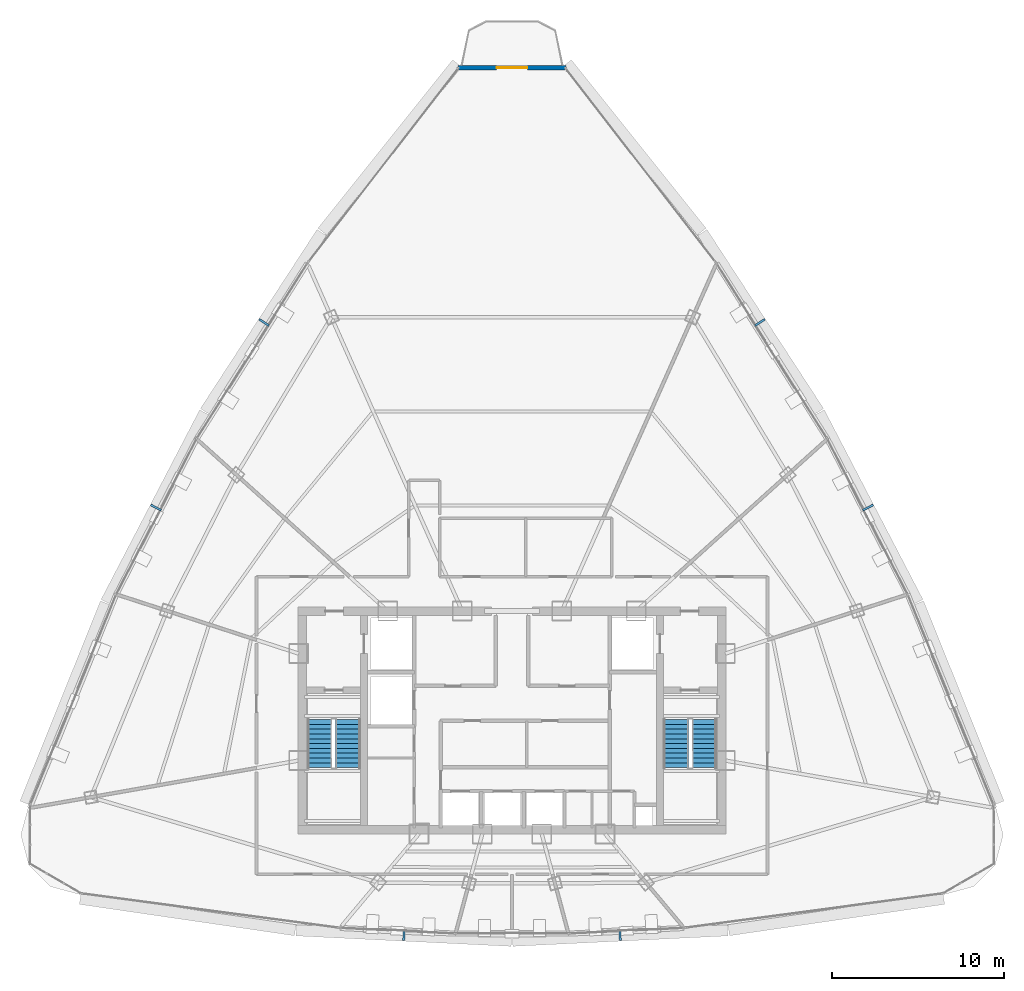
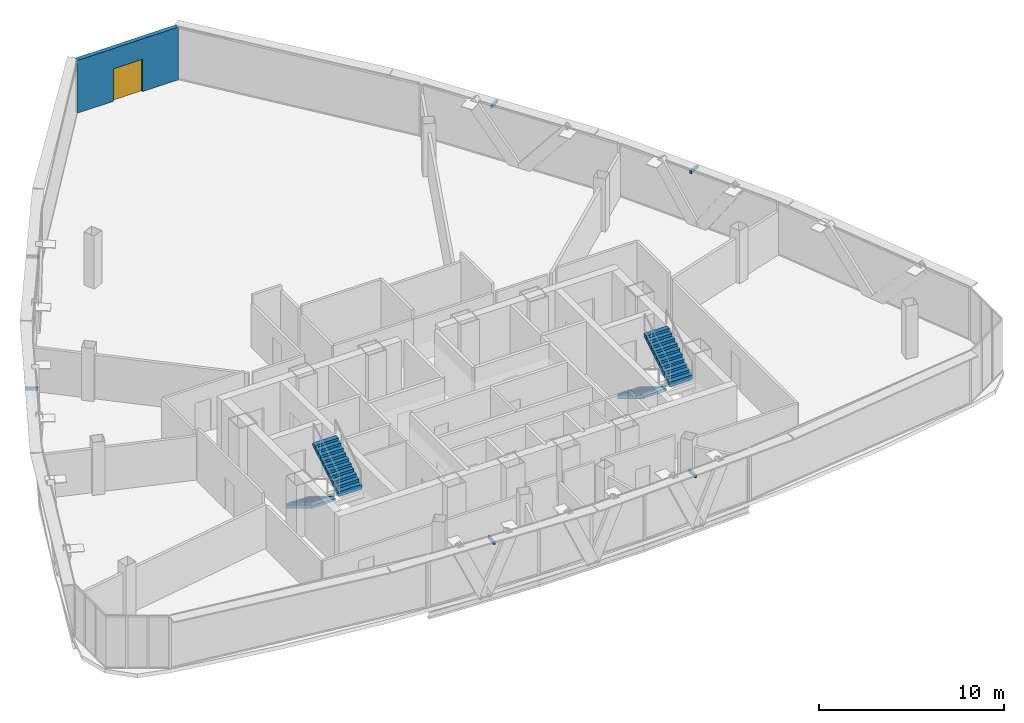
# One storey, part 24 of 27: 6 discrete accessories, 4 stair flights, 1 door, 1 wall, 1 opening, 2 elements without a shape of their own.
"""IFC4 building model written with IfcOpenShell, lengths in metres."""

import ifcopenshell
import ifcopenshell.guid

model = None  # the IFC model being written
_history = None  # IfcOwnerHistory: only IFC2X3 demands one
_inside = {}  # id of a spatial element -> (the spatial element, [elements in it])
_under = {}  # id of a project, library or spatial element -> (it, [spatial elements below it])
_declared = {}  # id of a project -> (the project, [libraries it declares])
_typed = {}  # id of a type object -> (the type object, [elements of that type])
_made_of = {}  # id of a material, layer set ... -> (it, [elements and type objects made of it])


def new_model(schema):
    """Start an empty IFC model of exactly this schema.

    Asked for "IFC4X3", IfcOpenShell would pick the latest addendum, in which some entities
    have other attributes; the version numbers below select the first issue.
    IFC2X3 requires an IfcOwnerHistory on every rooted entity: one is made here for all.
    """
    global model, _history
    if schema == "IFC4X3":
        model = ifcopenshell.file(schema_version=(4, 3, 0, 0))
    else:
        model = ifcopenshell.file(schema=schema)
    _inside.clear()
    _under.clear()
    _declared.clear()
    _typed.clear()
    _made_of.clear()
    _history = None
    if model.schema == "IFC2X3":
        org = make("IfcOrganization", Name="unknown")
        user = make(
            "IfcPersonAndOrganization",
            ThePerson=make("IfcPerson", FamilyName="unknown"),
            TheOrganization=org,
        )
        app = make(
            "IfcApplication",
            ApplicationDeveloper=org,
            Version="unknown",
            ApplicationFullName="unknown",
            ApplicationIdentifier="unknown",
        )
        _history = make(
            "IfcOwnerHistory",
            OwningUser=user,
            OwningApplication=app,
            ChangeAction="ADDED",
            CreationDate=0,
        )
    return model


def make(cls, **values):
    """One entity of the class cls with the attributes given. An attribute that is None is left unset."""
    return model.create_entity(
        cls, **{name: value for name, value in values.items() if value is not None}
    )


def rooted(cls, **values):
    """An entity with a GlobalId (a new one), such as an element, a storey or a relation."""
    return make(cls, GlobalId=ifcopenshell.guid.new(), OwnerHistory=_history, **values)


def si_unit(unit_type, name, prefix=None):
    """IfcSIUnit, for example si_unit("LENGTHUNIT", "METRE", prefix="MILLI")."""
    return make("IfcSIUnit", UnitType=unit_type, Prefix=prefix, Name=name)


def assignment(units):
    """IfcUnitAssignment: the units of a project."""
    return None if units is None else make("IfcUnitAssignment", Units=units)


def point(xyz):
    """IfcCartesianPoint."""
    return None if xyz is None else make("IfcCartesianPoint", Coordinates=xyz)


def direction(xyz):
    """IfcDirection."""
    return None if xyz is None else make("IfcDirection", DirectionRatios=xyz)


def frame(location, z_axis=None, x_axis=None):
    """IfcAxis2Placement3D, a coordinate frame: its origin and axes. An axis left out is left unset."""
    return make(
        "IfcAxis2Placement3D",
        Location=point(location),
        Axis=direction(z_axis),
        RefDirection=direction(x_axis),
    )


def frame_2d(location, x_axis=None):
    """IfcAxis2Placement2D, a coordinate frame in the plane: its origin and x axis."""
    return make(
        "IfcAxis2Placement2D", Location=point(location), RefDirection=direction(x_axis)
    )


def origin():
    """The frame at (0, 0, 0) with its axes left unset."""
    return frame((0.0, 0.0, 0.0))


def origin_with_axes():
    """The frame at (0, 0, 0) with the z axis (0, 0, 1) and the x axis (1, 0, 0) written out."""
    return frame((0.0, 0.0, 0.0), z_axis=(0.0, 0.0, 1.0), x_axis=(1.0, 0.0, 0.0))


def origin_2d():
    """The frame at (0, 0) in the plane with its x axis left unset."""
    return frame_2d((0.0, 0.0))


def place(relative_to, where):
    """IfcLocalPlacement: puts the frame where relative to a parent placement (None: the world)."""
    return make(
        "IfcLocalPlacement", PlacementRelTo=relative_to, RelativePlacement=where
    )


def context(
    kind, dimensions, precision=None, world=None, true_north=None, identifier=None
):
    """IfcGeometricRepresentationContext, for example the 3D "Model" context."""
    return make(
        "IfcGeometricRepresentationContext",
        ContextIdentifier=identifier,
        ContextType=kind,
        CoordinateSpaceDimension=dimensions,
        Precision=precision,
        WorldCoordinateSystem=world,
        TrueNorth=true_north,
    )


def subcontext(parent, identifier, kind, view, scale=None):
    """IfcGeometricRepresentationSubContext, for example "Body" below "Model"."""
    return make(
        "IfcGeometricRepresentationSubContext",
        ContextIdentifier=identifier,
        ContextType=kind,
        ParentContext=parent,
        TargetScale=scale,
        TargetView=view,
    )


def project(units=None, contexts=None):
    """IfcProject with its units and contexts."""
    return rooted(
        "IfcProject",
        Name="project",
        RepresentationContexts=contexts,
        UnitsInContext=assignment(units),
    )


def spatial(cls, under=None, at=None, **own):
    """A site, building, storey or space (cls), placed at a placement, below another one or the project."""
    s = rooted(cls, ObjectPlacement=at, **own)
    if under is not None:
        _under.setdefault(under.id(), (under, []))[1].append(s)
    return s


def polyline(points):
    """IfcPolyline through the points."""
    return make("IfcPolyline", Points=[point(p) for p in points])


def profile(cls, at=None, kind="AREA", **sizes):
    """A parametric profile (cls). Its sizes go by their IFC names, for example OverallWidth=200.0."""
    return make(cls, ProfileType=kind, Position=at, **sizes)


def rectangle(**sizes):
    """IfcRectangleProfileDef."""
    return profile("IfcRectangleProfileDef", **sizes)


def outline(outer, holes=None, kind="AREA"):
    """IfcArbitraryClosedProfileDef: a profile drawn as a closed curve; with holes, ...WithVoids."""
    if holes is None:
        return make("IfcArbitraryClosedProfileDef", ProfileType=kind, OuterCurve=outer)
    return make(
        "IfcArbitraryProfileDefWithVoids",
        ProfileType=kind,
        OuterCurve=outer,
        InnerCurves=holes,
    )


def extrude(swept, where, along, depth):
    """IfcExtrudedAreaSolid: the profile swept, set in the frame where, extruded along a direction by depth."""
    return make(
        "IfcExtrudedAreaSolid",
        SweptArea=swept,
        Position=where,
        ExtrudedDirection=direction(along),
        Depth=depth,
    )


def shape(context_of_items, identifier, shape_type, items):
    """IfcShapeRepresentation: the items that make up one representation, for example the "Body"."""
    return make(
        "IfcShapeRepresentation",
        ContextOfItems=context_of_items,
        RepresentationIdentifier=identifier,
        RepresentationType=shape_type,
        Items=items,
    )


def source(mapping_origin, context_of_items, identifier, shape_type, items):
    """IfcRepresentationMap: a shape defined once, which mapped items show again and again."""
    return make(
        "IfcRepresentationMap",
        MappingOrigin=mapping_origin,
        MappedRepresentation=shape(context_of_items, identifier, shape_type, items),
    )


def transform(
    local_origin,
    x_axis=None,
    y_axis=None,
    z_axis=None,
    scale=None,
    scale2=None,
    scale3=None,
    uniform=True,
):
    """IfcCartesianTransformationOperator3D, or its non-uniform kind. x_axis, y_axis, z_axis: its Axis1, 2, 3."""
    if uniform:
        return make(
            "IfcCartesianTransformationOperator3D",
            Axis1=direction(x_axis),
            Axis2=direction(y_axis),
            LocalOrigin=point(local_origin),
            Scale=scale,
            Axis3=direction(z_axis),
        )
    return make(
        "IfcCartesianTransformationOperator3DnonUniform",
        Axis1=direction(x_axis),
        Axis2=direction(y_axis),
        LocalOrigin=point(local_origin),
        Scale=scale,
        Axis3=direction(z_axis),
        Scale2=scale2,
        Scale3=scale3,
    )


def mapped(mapping_source, mapping_target):
    """IfcMappedItem: shows the shape of a source again, moved by a transform."""
    return make(
        "IfcMappedItem", MappingSource=mapping_source, MappingTarget=mapping_target
    )


def material(Name=None, Category=None):
    """IfcMaterial."""
    return make("IfcMaterial", Name=Name, Category=Category)


def layer(
    of_material, thickness, ventilated=None, Name=None, Category=None, Priority=None
):
    """IfcMaterialLayer: one layer of a wall or slab, of a material (None: an air gap)."""
    return make(
        "IfcMaterialLayer",
        Material=of_material,
        LayerThickness=thickness,
        IsVentilated=ventilated,
        Name=Name,
        Category=Category,
        Priority=Priority,
    )


def layer_set(layers, Name=None):
    """IfcMaterialLayerSet."""
    return make("IfcMaterialLayerSet", MaterialLayers=layers, LayerSetName=Name)


def made_of(thing, what):
    """Note that an element or type object is made of a material, layer set ...; save() writes the relation."""
    if what is not None:
        _made_of.setdefault(what.id(), (what, []))[1].append(thing)
    return thing


def type_object(cls, material=None, **own):
    """A type object (cls), such as IfcWallType, which elements share."""
    return made_of(rooted(cls, **own), material)


def element(
    cls,
    number,
    at=None,
    inside=None,
    cuts=None,
    type_object=None,
    material=None,
    context=None,
    identifier="Body",
    shape_type=None,
    held_by="IfcProductDefinitionShape",
    body=None,
    shapes=None,
    **own,
):
    """One element of the class cls, such as IfcWall. Its Tag is "e" and its number.

    at: its placement. inside: the storey or other place that contains it. cuts: it is an
    opening in that element (IfcRelVoidsElement). A single representation is given by context,
    identifier, shape_type and body (its items); several are given by shapes. held_by: the class
    of the entity that holds the representations. save() writes the other relations.
    """
    e = rooted(cls, Tag="e%d" % number, ObjectPlacement=at, **own)
    if body is not None:
        shapes = [shape(context, identifier, shape_type, body)]
    if shapes is not None:
        e.Representation = make(held_by, Representations=shapes)
    if inside is not None:
        _inside.setdefault(inside.id(), (inside, []))[1].append(e)
    if cuts is not None:
        rooted(
            "IfcRelVoidsElement", RelatingBuildingElement=cuts, RelatedOpeningElement=e
        )
    if type_object is not None:
        _typed.setdefault(type_object.id(), (type_object, []))[1].append(e)
    return made_of(e, material)


def fill(opening, filler):
    """IfcRelFillsElement: the door or window that sits in an opening."""
    return rooted(
        "IfcRelFillsElement",
        RelatingOpeningElement=opening,
        RelatedBuildingElement=filler,
    )


def aggregate(whole, parts):
    """IfcRelAggregates: a whole, such as a stair, and the parts it consists of."""
    return rooted("IfcRelAggregates", RelatingObject=whole, RelatedObjects=parts)


def save(model, path):
    """Write the relations noted so far, then the file.

    IfcRelAggregates (storeys below a building ...), IfcRelContainedInSpatialStructure (elements
    in a storey), IfcRelDefinesByType, IfcRelAssociatesMaterial and IfcRelDeclares: one each for
    every whole, place, type object, material and project.
    """
    for whole, parts in _under.values():
        aggregate(whole, parts)
    for where, things in _inside.values():
        rooted(
            "IfcRelContainedInSpatialStructure",
            RelatedElements=things,
            RelatingStructure=where,
        )
    for kind, things in _typed.values():
        rooted("IfcRelDefinesByType", RelatedObjects=things, RelatingType=kind)
    for what, things in _made_of.values():
        rooted("IfcRelAssociatesMaterial", RelatedObjects=things, RelatingMaterial=what)
    for by, libraries in _declared.values():
        rooted("IfcRelDeclares", RelatingContext=by, RelatedDefinitions=libraries)
    model.write(path)


model = new_model("IFC4")

# Units and contexts
model_context = context("Model", 3, precision=1e-05, world=origin(), true_north=direction((0.0, 1.0)))
body_context = subcontext(model_context, "Body", "Model", "MODEL_VIEW")
ifc_project = project(units=[si_unit("LENGTHUNIT", "METRE"), si_unit("AREAUNIT", "SQUARE_METRE"), si_unit("VOLUMEUNIT", "CUBIC_METRE"), si_unit("PLANEANGLEUNIT", "RADIAN"), si_unit("MASSUNIT", "GRAM", prefix="KILO"), si_unit("THERMODYNAMICTEMPERATUREUNIT", "KELVIN"), si_unit("POWERUNIT", "WATT")], contexts=[model_context])

# Site, building, storey
site_placement = place(None, origin())
site = spatial("IfcSite", under=ifc_project, at=site_placement, CompositionType="ELEMENT")
building_placement = place(site_placement, origin())
building = spatial("IfcBuilding", under=site, at=building_placement, Name="Yunzhuo Pagoda Commons", CompositionType="ELEMENT")
storey_placement = place(building_placement, frame((0.0, 0.0, 344.260009765625)))
storey = spatial("IfcBuildingStorey", under=building, at=storey_placement, Name="L86", CompositionType="ELEMENT", Elevation=344.260009765625)

# Wall, opening, door
ifc_material_1 = material(Name="Precast concrete C40", Category="concrete")
ifc_layer = layer(ifc_material_1, 0.260009765625)
ifc_layer_set = layer_set([ifc_layer], Name="Precast concrete C40")
wall_type = type_object("IfcWallType", Name="W-BAL1 Corner Balcony Threshold Wall 260", PredefinedType="STANDARD", material=ifc_layer_set)
wall_placement = place(storey_placement, frame((51.146484375, 71.78125, 0.0), z_axis=(0.0, 0.0, 1.0), x_axis=(-1.0, 0.0, 0.0)))
wall = element("IfcWall", 1, at=wall_placement, inside=storey, type_object=wall_type, Name="L86 corner balcony wall V3", PredefinedType="STANDARD", context=body_context, shape_type="SweptSolid", body=[
    extrude(rectangle(XDim=6.29296875, YDim=0.260009765625, at=frame_2d((3.146484375, 0.0))), origin(), (0.0, 0.0, 1.0), 3.489990234375),
])
opening_placement = place(wall_placement, frame((2.246337890625, 0.0, 0.0)))
opening = element("IfcOpeningElement", 2, at=opening_placement, cuts=wall, Name="Opening D-BAL1", PredefinedType="OPENING", context=body_context, shape_type="SweptSolid", body=[
    extrude(rectangle(XDim=1.800048828125, YDim=2.14990234375, at=frame_2d((0.89990234375, 1.074951171875))), frame((0.0, 0.14013671875, 0.0), z_axis=(0.0, -1.0, 0.0), x_axis=(1.0, 0.0, 0.0)), (0.0, 0.0, 1.0), 0.280029296875),
])
ifc_material_2 = material(Name="Anodized aluminium frame and tempered glazed leaf", Category="aluminium")
door_type = type_object("IfcDoorType", Name="D-BAL1 Corner Balcony Sliding Glazed Door 1800x2150", OperationType="DOUBLE_DOOR_SLIDING", PredefinedType="DOOR", material=ifc_material_2)
shared_shape_1 = source(origin(), body_context, "Body", "SweptSolid", [
    extrude(rectangle(XDim=1.800048828125, YDim=2.14990234375, at=frame_2d((0.89990234375, 1.074951171875))), frame((0.0, 0.02490234375, 0.0), z_axis=(0.0, -1.0, 0.0), x_axis=(1.0, 0.0, 0.0)), (0.0, 0.0, 1.0), 0.050048828125),
])
door_placement = place(opening_placement, origin_with_axes())
door = element("IfcDoor", 3, at=door_placement, inside=storey, type_object=door_type, Name="L86 corner balcony sliding door V3", OperationType="DOUBLE_DOOR_SLIDING", OverallHeight=2.14990234375, OverallWidth=1.800048828125, PredefinedType="DOOR", context=body_context, shape_type="MappedRepresentation", body=[
    mapped(shared_shape_1, transform((0.0, 0.0, 0.0), scale=1.0)),
])
fill(opening, door)

# Stair, stair flights
ifc_material_3 = material(Name="Concrete C40", Category="concrete")
stair_type_1 = type_object("IfcStairType", Name="ST-C1 Core Smokeproof Stair ST1", PredefinedType="HALF_TURN_STAIR", material=ifc_material_3)
stair_1_placement = place(storey_placement, origin())
stair_1 = element("IfcStair", 4, at=stair_1_placement, inside=storey, type_object=stair_type_1, Name="L86 Core smokeproof stair ST1", PredefinedType="HALF_TURN_STAIR")
stair_flight_type_1 = type_object("IfcStairFlightType", Name="STF-C1 Core Stair Flight 1450", PredefinedType="STRAIGHT", material=ifc_material_3)
shared_shape_2 = source(origin(), body_context, "Body", "SweptSolid", [
    extrude(outline(polyline([(0.0, -0.14990234375), (0.0, 0.0), (0.0, 0.17041015625), (0.280029296875, 0.17041015625), (0.280029296875, 0.3408203125), (0.56005859375, 0.3408203125), (0.56005859375, 0.511474609375), (0.840087890625, 0.511474609375), (0.840087890625, 0.681884765625), (1.1201171875, 0.681884765625), (1.1201171875, 0.852294921875), (1.39990234375, 0.852294921875), (1.39990234375, 1.022705078125), (1.679931640625, 1.022705078125), (1.679931640625, 1.193115234375), (1.9599609375, 1.193115234375), (1.9599609375, 1.363525390625), (2.239990234375, 1.363525390625), (2.239990234375, 1.5341796875), (2.52001953125, 1.5341796875), (2.52001953125, 1.70458984375), (2.800048828125, 1.70458984375), (2.800048828125, 1.875), (2.800048828125, 1.529052734375), (0.288330078125, 0.0), (0.050048828125, -0.14990234375), (0.0, -0.14990234375)])), frame((0.0, 0.72509765625, 0.0), z_axis=(0.0, -1.0, 0.0), x_axis=(1.0, 0.0, 0.0)), (0.0, 0.0, 1.0), 1.449951171875),
])
stair_flight_1_placement = place(storey_placement, frame((36.824951171875, 33.89990234375, 0.0), z_axis=(0.0, 0.0, 1.0), x_axis=(0.0, -1.0, 0.0)))
stair_flight_1 = element("IfcStairFlight", 5, at=stair_flight_1_placement, type_object=stair_flight_type_1, Name="ST1 flight 1", NumberOfRisers=11, NumberOfTreads=10, PredefinedType="STRAIGHT", RiserHeight=0.170454545, TreadLength=0.28, context=body_context, shape_type="MappedRepresentation", body=[
    mapped(shared_shape_2, transform((0.0, 0.0, 0.0), scale=1.0)),
])
stair_flight_2_placement = place(storey_placement, frame((38.47509765625, 31.10009765625, 1.875), z_axis=(0.0, 0.0, 1.0), x_axis=(0.0, 1.0, 0.0)))
stair_flight_2 = element("IfcStairFlight", 6, at=stair_flight_2_placement, type_object=stair_flight_type_1, Name="ST1 flight 2", NumberOfRisers=11, NumberOfTreads=10, PredefinedType="STRAIGHT", RiserHeight=0.170454545, TreadLength=0.28, context=body_context, shape_type="MappedRepresentation", body=[
    mapped(shared_shape_2, transform((0.0, 0.0, 0.0), scale=1.0)),
])
aggregate(stair_1, [stair_flight_1, stair_flight_2])

stair_type_2 = type_object("IfcStairType", Name="ST-C2 Core Smokeproof Stair ST2", PredefinedType="HALF_TURN_STAIR", material=ifc_material_3)
stair_2_placement = place(storey_placement, origin())
stair_2 = element("IfcStair", 7, at=stair_2_placement, inside=storey, type_object=stair_type_2, Name="L86 Core smokeproof stair ST2", PredefinedType="HALF_TURN_STAIR")
stair_flight_type_2 = type_object("IfcStairFlightType", Name="STF-C2 Core Stair Flight 1460", PredefinedType="STRAIGHT", material=ifc_material_3)
stair_flight_3_placement = place(storey_placement, frame((57.52490234375, 33.89990234375, 0.0), z_axis=(0.0, 0.0, 1.0), x_axis=(0.0, -1.0, 0.0)))
stair_flight_3 = element("IfcStairFlight", 8, at=stair_flight_3_placement, type_object=stair_flight_type_2, Name="ST2 flight 1", NumberOfRisers=11, NumberOfTreads=10, PredefinedType="STRAIGHT", RiserHeight=0.170454545, TreadLength=0.28, context=body_context, shape_type="MappedRepresentation", body=[
    mapped(shared_shape_2, transform((0.0, 0.0, 0.0), scale=1.0)),
])
stair_flight_4_placement = place(storey_placement, frame((59.175048828125, 31.10009765625, 1.875), z_axis=(0.0, 0.0, 1.0), x_axis=(0.0, 1.0, 0.0)))
stair_flight_4 = element("IfcStairFlight", 9, at=stair_flight_4_placement, type_object=stair_flight_type_2, Name="ST2 flight 2", NumberOfRisers=11, NumberOfTreads=10, PredefinedType="STRAIGHT", RiserHeight=0.170454545, TreadLength=0.28, context=body_context, shape_type="MappedRepresentation", body=[
    mapped(shared_shape_2, transform((0.0, 0.0, 0.0), scale=1.0)),
])
aggregate(stair_2, [stair_flight_3, stair_flight_4])

# Discrete accessories
ifc_material_4 = material(Name="Anodized aluminium 6063-T6", Category="aluminium")
discrete_accessory_type = type_object("IfcDiscreteAccessoryType", Name="BK-SUN1 Sunshade Outrigger Bracket", PredefinedType="BRACKET", material=ifc_material_4)
shared_shape_3 = source(origin(), body_context, "Body", "SweptSolid", [
    extrude(rectangle(XDim=0.1201171875, YDim=0.679931640625, at=origin_2d()), origin(), (0.0, 0.0, 1.0), 0.179931640625),
])
for number, where, z_axis, x_axis, name in (
    (10, (41.718505859375, 21.380615234375, 3.27978515625), (0.0, 0.0, 1.0), (0.998818043775, -0.04860571396, 0.0), "L86 sunshade outrigger bracket F1.2"),
    (11, (54.281494140625, 21.380615234375, 3.27978515625), (0.0, 0.0, 1.0), (0.998818043775, 0.04860571396, 0.0), "L86 sunshade outrigger bracket F1.3"),
    (12, (68.697998046875, 46.220458984375, 3.27978515625), (0.0, 0.0, 1.0), (-0.461206683033, 0.88729273384, 0.0), "L86 sunshade outrigger bracket F2.2"),
    (13, (62.41650390625, 56.9814453125, 3.27978515625), (0.0, 0.0, 1.0), (-0.545853380833, 0.837880711458, 0.0), "L86 sunshade outrigger bracket F2.3"),
    (14, (33.58349609375, 56.9814453125, 3.27978515625), (0.0, 0.0, 1.0), (-0.545853380833, -0.837880711458, 0.0), "L86 sunshade outrigger bracket F3.2"),
    (15, (27.302001953125, 46.220458984375, 3.27978515625), (0.0, 0.0, 1.0), (-0.461206683033, -0.88729273384, 0.0), "L86 sunshade outrigger bracket F3.3"),
):
    element("IfcDiscreteAccessory", number, at=place(storey_placement, frame(where, z_axis=z_axis, x_axis=x_axis)), inside=storey, type_object=discrete_accessory_type, Name=name, PredefinedType="BRACKET", context=body_context, shape_type="MappedRepresentation", body=[
        mapped(shared_shape_3, transform((0.0, 0.0, 0.0), scale=1.0)),
    ])

save(model, "model.ifc")
